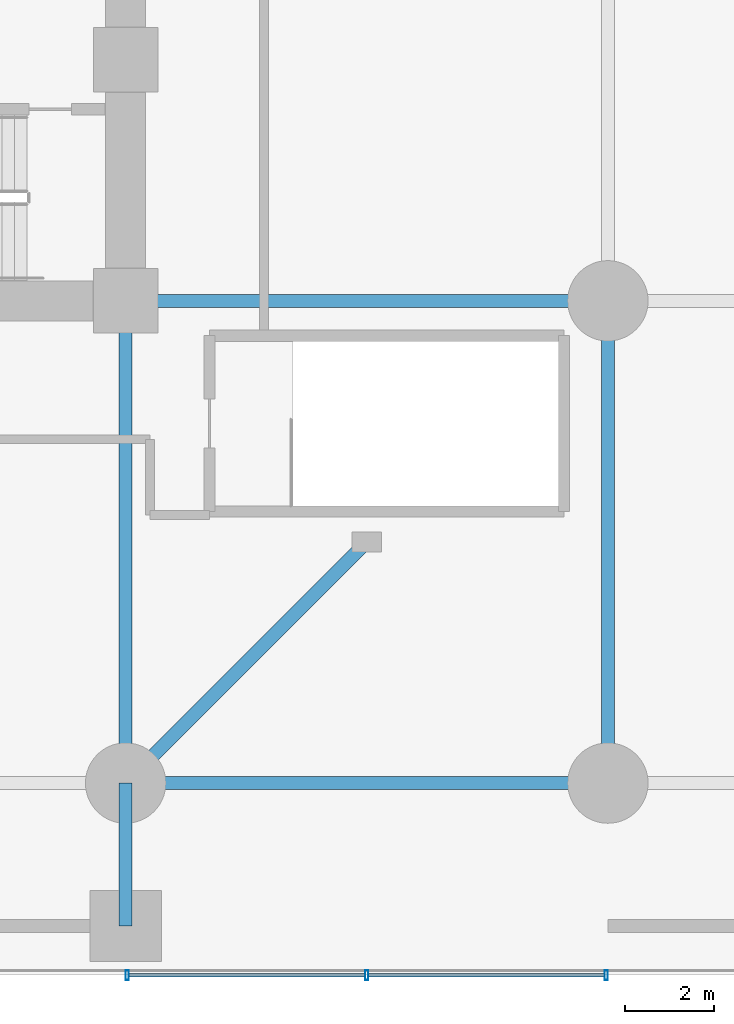
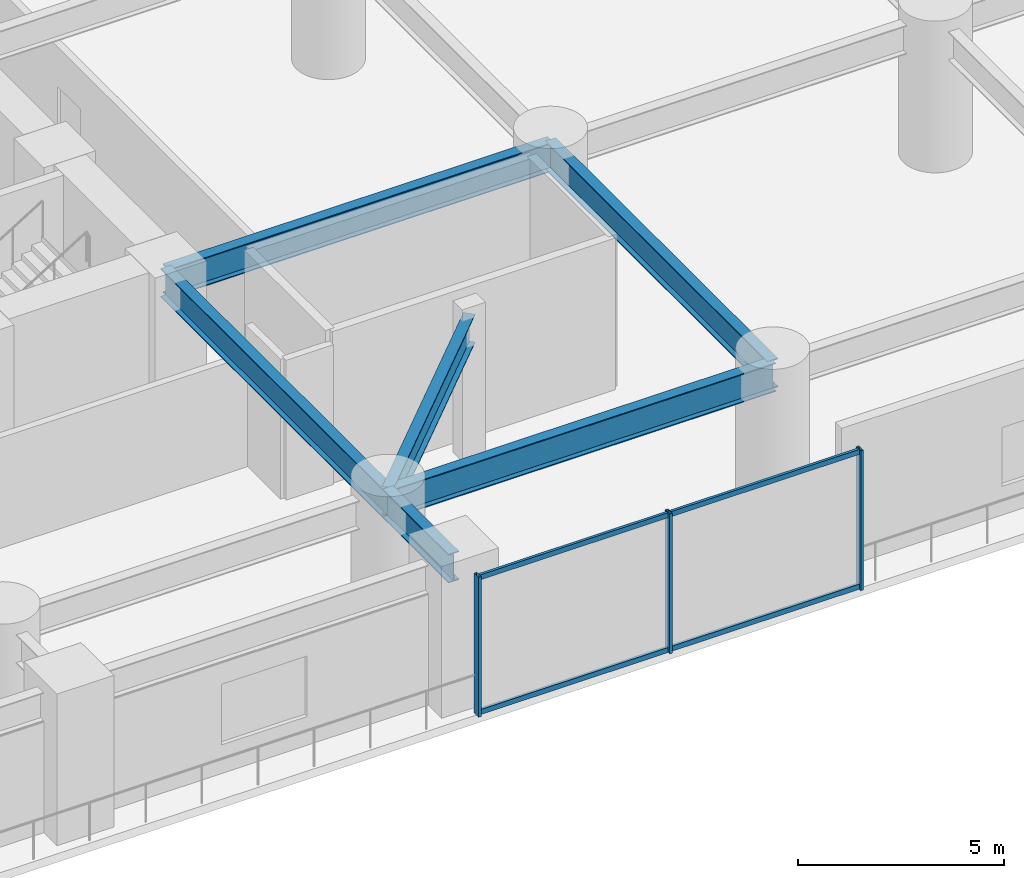
# One storey, part 9 of 35: 7 members, 6 beams, 1 element without a shape of its own.
"""IFC4 building model written with IfcOpenShell, lengths in metres."""

from ifc_helpers import new_model, si_unit, direction, frame, origin, origin_2d, place, context, subcontext, project, spatial, hollow_rectangle, i_section, extrude, material, layer, layer_set, material_profile, profile_set, type_object, element, aggregate, save


model = new_model("IFC4")

# Units and contexts
model_context = context("Model", 3, precision=1e-05, world=origin(), true_north=direction((0.0, 1.0)))
body_context = subcontext(model_context, "Body", "Model", "MODEL_VIEW")
ifc_project = project(units=[si_unit("LENGTHUNIT", "METRE"), si_unit("AREAUNIT", "SQUARE_METRE"), si_unit("VOLUMEUNIT", "CUBIC_METRE"), si_unit("PLANEANGLEUNIT", "RADIAN"), si_unit("MASSUNIT", "GRAM", prefix="KILO")], contexts=[model_context])

# Site, building, storey
site_placement = place(None, origin())
site = spatial("IfcSite", under=ifc_project, at=site_placement, CompositionType="ELEMENT")
building_placement = place(site_placement, origin())
building = spatial("IfcBuilding", under=site, at=building_placement, Name="Surkhivell Harbour Commons", CompositionType="ELEMENT")
storey_placement = place(building_placement, frame((0.0, 0.0, 13.5)))
storey = spatial("IfcBuildingStorey", under=building, at=storey_placement, Name="L03", CompositionType="ELEMENT", Elevation=13.5)

# Beams
ifc_material_1 = material(Name="Steel S460", Category="steel")
ifc_material_profile_1 = material_profile(ifc_material_1, i_section(OverallWidth=0.2939453125, OverallDepth=0.85107421875, WebThickness=0.01611328125, FlangeThickness=0.02685546875, at=origin_2d()), Name="UB838x292x226")
ifc_profile_set_1 = profile_set([ifc_material_profile_1], Name="Steel S460")
beam_type = type_object("IfcBeamType", Name="BM-SPN-838", PredefinedType="SPANDREL", material=ifc_profile_set_1)
beam_1_placement = place(storey_placement, frame((10.800048828125, -24.800048828125, 3.724609375), z_axis=(0.0, 1.0, 0.0), x_axis=(-1.0, 0.0, 0.0)))
element("IfcBeam", 1, at=beam_1_placement, inside=storey, type_object=beam_type, Name="L03 Framing Beam (10.8,-24.8)", PredefinedType="SPANDREL", context=body_context, shape_type="SweptSolid", body=[
    extrude(i_section(OverallWidth=0.2939453125, OverallDepth=0.85107421875, WebThickness=0.01611328125, FlangeThickness=0.02685546875, at=origin_2d()), origin(), (0.0, 0.0, 1.0), 3.199951171875),
])
beam_2_placement = place(storey_placement, frame((10.800048828125, -21.60009765625, 3.724609375), z_axis=(0.0, 1.0, 0.0), x_axis=(-1.0, 0.0, 0.0)))
element("IfcBeam", 2, at=beam_2_placement, inside=storey, type_object=beam_type, Name="L03 Framing Beam (10.8,-21.6)", PredefinedType="SPANDREL", context=body_context, shape_type="SweptSolid", body=[
    extrude(i_section(OverallWidth=0.2939453125, OverallDepth=0.85107421875, WebThickness=0.01611328125, FlangeThickness=0.02685546875, at=origin_2d()), origin(), (0.0, 0.0, 1.0), 10.800048828125),
])
beam_3_placement = place(storey_placement, frame((10.800048828125, -21.60009765625, 3.724609375), z_axis=(0.707090796496, 0.707122765516, 0.0), x_axis=(-0.707122765516, 0.707090796496, 0.0)))
element("IfcBeam", 3, at=beam_3_placement, inside=storey, type_object=beam_type, Name="L03 Framing Beam (10.8,-21.6)", PredefinedType="SPANDREL", context=body_context, shape_type="SweptSolid", body=[
    extrude(i_section(OverallWidth=0.2939453125, OverallDepth=0.85107421875, WebThickness=0.01611328125, FlangeThickness=0.02685546875, at=origin_2d()), origin(), (0.0, 0.0, 1.0), 7.63671875),
])
for number, where, z_axis, x_axis, name in (
    (4, (10.800048828125, -21.60009765625, 3.724609375), (1.0, 0.0, 0.0), (0.0, 1.0, 0.0), "L03 Framing Beam (10.8,-21.6)"),
    (5, (10.800048828125, -10.800048828125, 3.724609375), (1.0, 0.0, 0.0), (0.0, 1.0, 0.0), "L03 Framing Beam (10.8,-10.8)"),
    (6, (21.60009765625, -21.60009765625, 3.724609375), (0.0, 1.0, 0.0), (-1.0, 0.0, 0.0), "L03 Framing Beam (21.6,-21.6)"),
):
    element("IfcBeam", number, at=place(storey_placement, frame(where, z_axis=z_axis, x_axis=x_axis)), inside=storey, type_object=beam_type, Name=name, PredefinedType="SPANDREL", context=body_context, shape_type="SweptSolid", body=[
        extrude(i_section(OverallWidth=0.2939453125, OverallDepth=0.85107421875, WebThickness=0.01611328125, FlangeThickness=0.02685546875, at=origin_2d()), origin(), (0.0, 0.0, 1.0), 10.800048828125),
    ])

# Curtain wall, members
ifc_material_2 = material(Name="Anodised pale-metal aluminium and insulated glazing", Category="aluminium")
ifc_layer = layer(ifc_material_2, 0.239990234375)
ifc_layer_set = layer_set([ifc_layer], Name="Anodised pale-metal aluminium and insulated glazing")
curtain_wall_type = type_object("IfcCurtainWallType", Name="CW-SYS-POD", PredefinedType="NOTDEFINED", material=ifc_layer_set)
curtain_wall_placement = place(storey_placement, origin())
curtain_wall = element("IfcCurtainWall", 7, at=curtain_wall_placement, inside=storey, type_object=curtain_wall_type, Name="L03 Curtain Wall CW-L03-S6", PredefinedType="NOTDEFINED")
ifc_material_3 = material(Name="Anodised pale-metal aluminium alloy 6063-T6", Category="aluminium")
ifc_material_profile_2 = material_profile(ifc_material_3, hollow_rectangle(XDim=0.074951171875, YDim=0.219970703125, WallThickness=0.00390625, at=origin_2d()), Name="ALU-MULL-75x220")
ifc_profile_set_2 = profile_set([ifc_material_profile_2], Name="Anodised pale-metal aluminium alloy 6063-T6")
member_type_1 = type_object("IfcMemberType", Name="CWM-220", PredefinedType="MULLION", material=ifc_profile_set_2)
member_1_placement = place(storey_placement, frame((21.5625, -25.89990234375, 0.0), z_axis=(0.0, 0.0, 1.0), x_axis=(-1.0, 0.0, 0.0)))
member_1 = element("IfcMember", 8, at=member_1_placement, type_object=member_type_1, Name="CW-POD mullion 1", PredefinedType="MULLION", context=body_context, shape_type="SweptSolid", body=[
    extrude(hollow_rectangle(XDim=0.074951171875, YDim=0.219970703125, WallThickness=0.00390625, at=origin_2d()), origin(), (0.0, 0.0, 1.0), 4.14990234375),
])
member_2_placement = place(storey_placement, frame((16.199951171875, -25.89990234375, 0.0), z_axis=(0.0, 0.0, 1.0), x_axis=(-1.0, 0.0, 0.0)))
member_2 = element("IfcMember", 9, at=member_2_placement, type_object=member_type_1, Name="CW-POD mullion 2", PredefinedType="MULLION", context=body_context, shape_type="SweptSolid", body=[
    extrude(hollow_rectangle(XDim=0.074951171875, YDim=0.219970703125, WallThickness=0.00390625, at=origin_2d()), origin(), (0.0, 0.0, 1.0), 4.14990234375),
])
member_3_placement = place(storey_placement, frame((10.83740234375, -25.89990234375, 0.0), z_axis=(0.0, 0.0, 1.0), x_axis=(-1.0, 0.0, 0.0)))
member_3 = element("IfcMember", 10, at=member_3_placement, type_object=member_type_1, Name="CW-POD mullion 3", PredefinedType="MULLION", context=body_context, shape_type="SweptSolid", body=[
    extrude(hollow_rectangle(XDim=0.074951171875, YDim=0.219970703125, WallThickness=0.00390625, at=origin_2d()), origin(), (0.0, 0.0, 1.0), 4.14990234375),
])
ifc_material_profile_3 = material_profile(ifc_material_3, hollow_rectangle(XDim=0.074951171875, YDim=0.14990234375, WallThickness=0.00341796875, at=origin_2d()), Name="ALU-TRAN-75x150")
ifc_profile_set_3 = profile_set([ifc_material_profile_3], Name="Anodised pale-metal aluminium alloy 6063-T6")
member_type_2 = type_object("IfcMemberType", Name="CWT-150", PredefinedType="USERDEFINED", material=ifc_profile_set_3)
member_4_placement = place(storey_placement, frame((21.52490234375, -25.89990234375, 0.074951171875), z_axis=(-1.0, 0.0, 0.0), x_axis=(0.0, -1.0, 0.0)))
member_4 = element("IfcMember", 11, at=member_4_placement, type_object=member_type_2, Name="CW-POD transom 1.1", ObjectType="TRANSOM", PredefinedType="USERDEFINED", context=body_context, shape_type="SweptSolid", body=[
    extrude(hollow_rectangle(XDim=0.074951171875, YDim=0.14990234375, WallThickness=0.00341796875, at=origin_2d()), origin(), (0.0, 0.0, 1.0), 5.287353515625),
])
member_5_placement = place(storey_placement, frame((21.52490234375, -25.89990234375, 4.074951171875), z_axis=(-1.0, 0.0, 0.0), x_axis=(0.0, -1.0, 0.0)))
member_5 = element("IfcMember", 12, at=member_5_placement, type_object=member_type_2, Name="CW-POD transom 1.2", ObjectType="TRANSOM", PredefinedType="USERDEFINED", context=body_context, shape_type="SweptSolid", body=[
    extrude(hollow_rectangle(XDim=0.074951171875, YDim=0.14990234375, WallThickness=0.00341796875, at=origin_2d()), origin(), (0.0, 0.0, 1.0), 5.287353515625),
])
member_6_placement = place(storey_placement, frame((16.16259765625, -25.89990234375, 0.074951171875), z_axis=(-1.0, 0.0, 0.0), x_axis=(0.0, -1.0, 0.0)))
member_6 = element("IfcMember", 13, at=member_6_placement, type_object=member_type_2, Name="CW-POD transom 2.1", ObjectType="TRANSOM", PredefinedType="USERDEFINED", context=body_context, shape_type="SweptSolid", body=[
    extrude(hollow_rectangle(XDim=0.074951171875, YDim=0.14990234375, WallThickness=0.00341796875, at=origin_2d()), origin(), (0.0, 0.0, 1.0), 5.28759765625),
])
member_7_placement = place(storey_placement, frame((16.16259765625, -25.89990234375, 4.074951171875), z_axis=(-1.0, 0.0, 0.0), x_axis=(0.0, -1.0, 0.0)))
member_7 = element("IfcMember", 14, at=member_7_placement, type_object=member_type_2, Name="CW-POD transom 2.2", ObjectType="TRANSOM", PredefinedType="USERDEFINED", context=body_context, shape_type="SweptSolid", body=[
    extrude(hollow_rectangle(XDim=0.074951171875, YDim=0.14990234375, WallThickness=0.00341796875, at=origin_2d()), origin(), (0.0, 0.0, 1.0), 5.28759765625),
])
aggregate(curtain_wall, [member_1, member_2, member_3, member_4, member_5, member_6, member_7])

save(model, "model.ifc")
